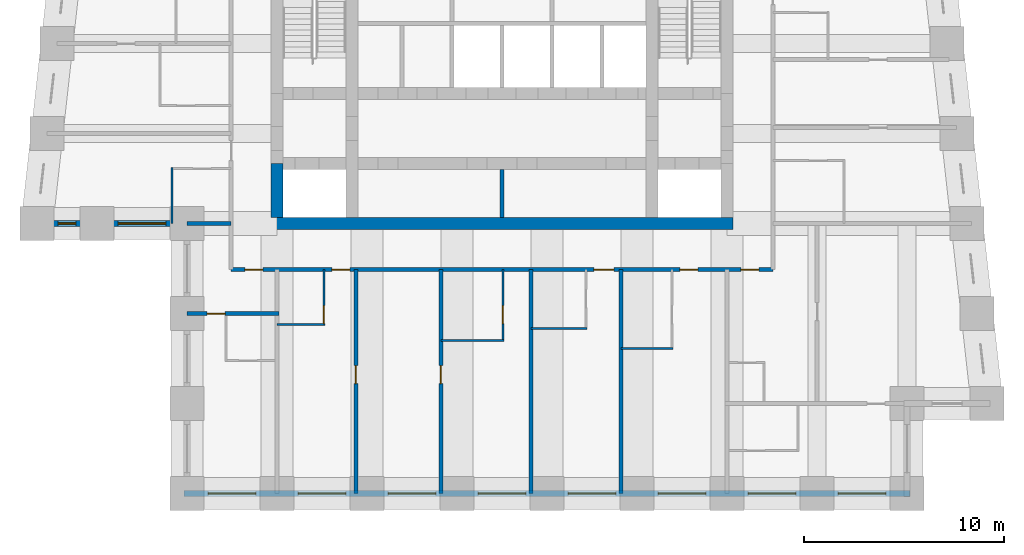
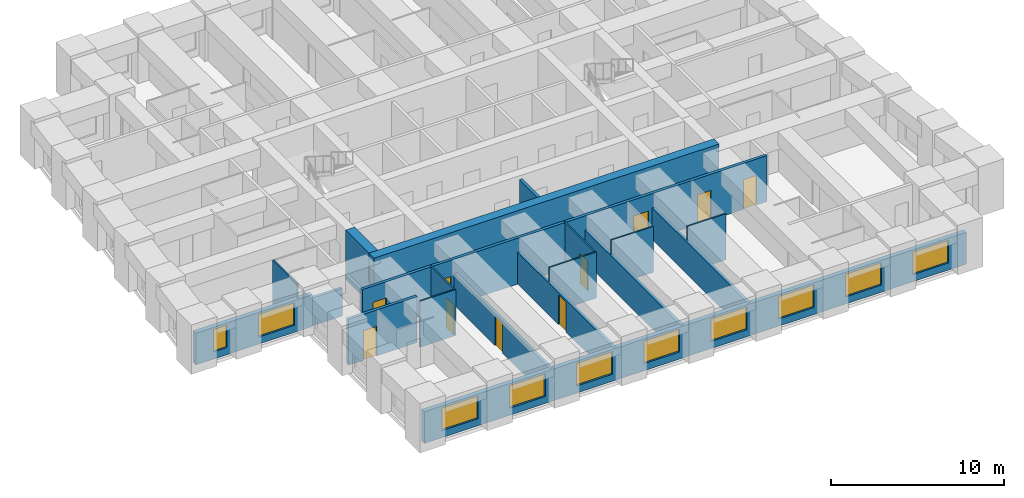
# One storey, part 2 of 8: 19 walls, 10 doors, 10 windows, 20 openings.
"""IFC4 building model written with IfcOpenShell, lengths in metres."""

import ifcopenshell
import ifcopenshell.guid

model = None  # the IFC model being written
_history = None  # IfcOwnerHistory: only IFC2X3 demands one
_inside = {}  # id of a spatial element -> (the spatial element, [elements in it])
_under = {}  # id of a project, library or spatial element -> (it, [spatial elements below it])
_declared = {}  # id of a project -> (the project, [libraries it declares])
_typed = {}  # id of a type object -> (the type object, [elements of that type])
_made_of = {}  # id of a material, layer set ... -> (it, [elements and type objects made of it])


def new_model(schema):
    """Start an empty IFC model of exactly this schema.

    Asked for "IFC4X3", IfcOpenShell would pick the latest addendum, in which some entities
    have other attributes; the version numbers below select the first issue.
    IFC2X3 requires an IfcOwnerHistory on every rooted entity: one is made here for all.
    """
    global model, _history
    if schema == "IFC4X3":
        model = ifcopenshell.file(schema_version=(4, 3, 0, 0))
    else:
        model = ifcopenshell.file(schema=schema)
    _inside.clear()
    _under.clear()
    _declared.clear()
    _typed.clear()
    _made_of.clear()
    _history = None
    if model.schema == "IFC2X3":
        org = make("IfcOrganization", Name="unknown")
        user = make(
            "IfcPersonAndOrganization",
            ThePerson=make("IfcPerson", FamilyName="unknown"),
            TheOrganization=org,
        )
        app = make(
            "IfcApplication",
            ApplicationDeveloper=org,
            Version="unknown",
            ApplicationFullName="unknown",
            ApplicationIdentifier="unknown",
        )
        _history = make(
            "IfcOwnerHistory",
            OwningUser=user,
            OwningApplication=app,
            ChangeAction="ADDED",
            CreationDate=0,
        )
    return model


def make(cls, **values):
    """One entity of the class cls with the attributes given. An attribute that is None is left unset."""
    return model.create_entity(
        cls, **{name: value for name, value in values.items() if value is not None}
    )


def rooted(cls, **values):
    """An entity with a GlobalId (a new one), such as an element, a storey or a relation."""
    return make(cls, GlobalId=ifcopenshell.guid.new(), OwnerHistory=_history, **values)


def si_unit(unit_type, name, prefix=None):
    """IfcSIUnit, for example si_unit("LENGTHUNIT", "METRE", prefix="MILLI")."""
    return make("IfcSIUnit", UnitType=unit_type, Prefix=prefix, Name=name)


def assignment(units):
    """IfcUnitAssignment: the units of a project."""
    return None if units is None else make("IfcUnitAssignment", Units=units)


def point(xyz):
    """IfcCartesianPoint."""
    return None if xyz is None else make("IfcCartesianPoint", Coordinates=xyz)


def direction(xyz):
    """IfcDirection."""
    return None if xyz is None else make("IfcDirection", DirectionRatios=xyz)


def frame(location, z_axis=None, x_axis=None):
    """IfcAxis2Placement3D, a coordinate frame: its origin and axes. An axis left out is left unset."""
    return make(
        "IfcAxis2Placement3D",
        Location=point(location),
        Axis=direction(z_axis),
        RefDirection=direction(x_axis),
    )


def frame_2d(location, x_axis=None):
    """IfcAxis2Placement2D, a coordinate frame in the plane: its origin and x axis."""
    return make(
        "IfcAxis2Placement2D", Location=point(location), RefDirection=direction(x_axis)
    )


def origin():
    """The frame at (0, 0, 0) with its axes left unset."""
    return frame((0.0, 0.0, 0.0))


def place(relative_to, where):
    """IfcLocalPlacement: puts the frame where relative to a parent placement (None: the world)."""
    return make(
        "IfcLocalPlacement", PlacementRelTo=relative_to, RelativePlacement=where
    )


def context(
    kind, dimensions, precision=None, world=None, true_north=None, identifier=None
):
    """IfcGeometricRepresentationContext, for example the 3D "Model" context."""
    return make(
        "IfcGeometricRepresentationContext",
        ContextIdentifier=identifier,
        ContextType=kind,
        CoordinateSpaceDimension=dimensions,
        Precision=precision,
        WorldCoordinateSystem=world,
        TrueNorth=true_north,
    )


def subcontext(parent, identifier, kind, view, scale=None):
    """IfcGeometricRepresentationSubContext, for example "Body" below "Model"."""
    return make(
        "IfcGeometricRepresentationSubContext",
        ContextIdentifier=identifier,
        ContextType=kind,
        ParentContext=parent,
        TargetScale=scale,
        TargetView=view,
    )


def project(units=None, contexts=None):
    """IfcProject with its units and contexts."""
    return rooted(
        "IfcProject",
        Name="project",
        RepresentationContexts=contexts,
        UnitsInContext=assignment(units),
    )


def spatial(cls, under=None, at=None, **own):
    """A site, building, storey or space (cls), placed at a placement, below another one or the project."""
    s = rooted(cls, ObjectPlacement=at, **own)
    if under is not None:
        _under.setdefault(under.id(), (under, []))[1].append(s)
    return s


def profile(cls, at=None, kind="AREA", **sizes):
    """A parametric profile (cls). Its sizes go by their IFC names, for example OverallWidth=200.0."""
    return make(cls, ProfileType=kind, Position=at, **sizes)


def rectangle(**sizes):
    """IfcRectangleProfileDef."""
    return profile("IfcRectangleProfileDef", **sizes)


def extrude(swept, where, along, depth):
    """IfcExtrudedAreaSolid: the profile swept, set in the frame where, extruded along a direction by depth."""
    return make(
        "IfcExtrudedAreaSolid",
        SweptArea=swept,
        Position=where,
        ExtrudedDirection=direction(along),
        Depth=depth,
    )


def shape(context_of_items, identifier, shape_type, items):
    """IfcShapeRepresentation: the items that make up one representation, for example the "Body"."""
    return make(
        "IfcShapeRepresentation",
        ContextOfItems=context_of_items,
        RepresentationIdentifier=identifier,
        RepresentationType=shape_type,
        Items=items,
    )


def material(Name=None, Category=None):
    """IfcMaterial."""
    return make("IfcMaterial", Name=Name, Category=Category)


def layer(
    of_material, thickness, ventilated=None, Name=None, Category=None, Priority=None
):
    """IfcMaterialLayer: one layer of a wall or slab, of a material (None: an air gap)."""
    return make(
        "IfcMaterialLayer",
        Material=of_material,
        LayerThickness=thickness,
        IsVentilated=ventilated,
        Name=Name,
        Category=Category,
        Priority=Priority,
    )


def layer_set(layers, Name=None):
    """IfcMaterialLayerSet."""
    return make("IfcMaterialLayerSet", MaterialLayers=layers, LayerSetName=Name)


def made_of(thing, what):
    """Note that an element or type object is made of a material, layer set ...; save() writes the relation."""
    if what is not None:
        _made_of.setdefault(what.id(), (what, []))[1].append(thing)
    return thing


def type_object(cls, material=None, **own):
    """A type object (cls), such as IfcWallType, which elements share."""
    return made_of(rooted(cls, **own), material)


def element(
    cls,
    number,
    at=None,
    inside=None,
    cuts=None,
    type_object=None,
    material=None,
    context=None,
    identifier="Body",
    shape_type=None,
    held_by="IfcProductDefinitionShape",
    body=None,
    shapes=None,
    **own,
):
    """One element of the class cls, such as IfcWall. Its Tag is "e" and its number.

    at: its placement. inside: the storey or other place that contains it. cuts: it is an
    opening in that element (IfcRelVoidsElement). A single representation is given by context,
    identifier, shape_type and body (its items); several are given by shapes. held_by: the class
    of the entity that holds the representations. save() writes the other relations.
    """
    e = rooted(cls, Tag="e%d" % number, ObjectPlacement=at, **own)
    if body is not None:
        shapes = [shape(context, identifier, shape_type, body)]
    if shapes is not None:
        e.Representation = make(held_by, Representations=shapes)
    if inside is not None:
        _inside.setdefault(inside.id(), (inside, []))[1].append(e)
    if cuts is not None:
        rooted(
            "IfcRelVoidsElement", RelatingBuildingElement=cuts, RelatedOpeningElement=e
        )
    if type_object is not None:
        _typed.setdefault(type_object.id(), (type_object, []))[1].append(e)
    return made_of(e, material)


def fill(opening, filler):
    """IfcRelFillsElement: the door or window that sits in an opening."""
    return rooted(
        "IfcRelFillsElement",
        RelatingOpeningElement=opening,
        RelatedBuildingElement=filler,
    )


def aggregate(whole, parts):
    """IfcRelAggregates: a whole, such as a stair, and the parts it consists of."""
    return rooted("IfcRelAggregates", RelatingObject=whole, RelatedObjects=parts)


def save(model, path):
    """Write the relations noted so far, then the file.

    IfcRelAggregates (storeys below a building ...), IfcRelContainedInSpatialStructure (elements
    in a storey), IfcRelDefinesByType, IfcRelAssociatesMaterial and IfcRelDeclares: one each for
    every whole, place, type object, material and project.
    """
    for whole, parts in _under.values():
        aggregate(whole, parts)
    for where, things in _inside.values():
        rooted(
            "IfcRelContainedInSpatialStructure",
            RelatedElements=things,
            RelatingStructure=where,
        )
    for kind, things in _typed.values():
        rooted("IfcRelDefinesByType", RelatedObjects=things, RelatingType=kind)
    for what, things in _made_of.values():
        rooted("IfcRelAssociatesMaterial", RelatedObjects=things, RelatingMaterial=what)
    for by, libraries in _declared.values():
        rooted("IfcRelDeclares", RelatingContext=by, RelatedDefinitions=libraries)
    model.write(path)


model = new_model("IFC4")

# Units and contexts
model_context = context("Model", 3, precision=1e-05, world=origin(), true_north=direction((0.0, 1.0)))
body_context = subcontext(model_context, "Body", "Model", "MODEL_VIEW")
ifc_project = project(units=[si_unit("LENGTHUNIT", "METRE"), si_unit("AREAUNIT", "SQUARE_METRE"), si_unit("VOLUMEUNIT", "CUBIC_METRE"), si_unit("PLANEANGLEUNIT", "RADIAN"), si_unit("MASSUNIT", "GRAM", prefix="KILO")], contexts=[model_context])

# Site, building, storey
site_placement = place(None, origin())
site = spatial("IfcSite", under=ifc_project, at=site_placement, CompositionType="ELEMENT")
building_placement = place(site_placement, origin())
building = spatial("IfcBuilding", under=site, at=building_placement, Name="Kilele Tower Hotel", CompositionType="ELEMENT")
storey_placement = place(building_placement, frame((0.0, 0.0, 179.89990234375)))
storey = spatial("IfcBuildingStorey", under=building, at=storey_placement, Name="L46", CompositionType="ELEMENT", Elevation=179.89990234375)

# Wall
ifc_material_1 = material(Name="Moisture-resistant board")
ifc_layer_1 = layer(ifc_material_1, 0.10009765625)
ifc_layer_set_1 = layer_set([ifc_layer_1], Name="Moisture-resistant board")
wall_type_1 = type_object("IfcWallType", Name="Bathroom partition 100", PredefinedType="PLUMBINGWALL", material=ifc_layer_set_1)
wall_1_placement = place(storey_placement, frame((13.5, 8.449951171875, 0.0), z_axis=(0.0, 0.0, 1.0), x_axis=(1.0, 0.0, 0.0)))
element("IfcWall", 1, at=wall_1_placement, inside=storey, type_object=wall_type_1, Name="Bathroom partition 100 L46", PredefinedType="PLUMBINGWALL", context=body_context, shape_type="SweptSolid", body=[
    extrude(rectangle(XDim=2.39990234375, YDim=0.10009765625, at=frame_2d((1.199951171875, 0.0))), origin(), (0.0, 0.0, 1.0), 3.25),
])

# Wall, opening, door
wall_2_placement = place(storey_placement, frame((15.85009765625, 11.199951171875, 0.0), z_axis=(0.0, 0.0, 1.0), x_axis=(0.0, -1.0, 0.0)))
wall_2 = element("IfcWall", 2, at=wall_2_placement, inside=storey, type_object=wall_type_1, Name="Bathroom partition 100 L46", PredefinedType="PLUMBINGWALL", context=body_context, shape_type="SweptSolid", body=[
    extrude(rectangle(XDim=2.800048828125, YDim=0.10009765625, at=frame_2d((1.39990234375, 0.0))), origin(), (0.0, 0.0, 1.0), 3.25),
])
opening_1_placement = place(wall_2_placement, frame((1.800048828125, 0.0, 0.0)))
opening_1 = element("IfcOpeningElement", 3, at=opening_1_placement, cuts=wall_2, Name="Opening D2A", PredefinedType="OPENING", context=body_context, shape_type="SweptSolid", body=[
    extrude(rectangle(XDim=0.89990234375, YDim=2.10009765625, at=frame_2d((0.449951171875, 1.050048828125))), frame((0.0, 0.06005859375, 0.0), z_axis=(0.0, -1.0, 0.0), x_axis=(1.0, 0.0, 0.0)), (0.0, 0.0, 1.0), 0.1201171875),
])
ifc_material_2 = material(Name="Timber door leaf in hardwood frame", Category="wood")
door_type_1 = type_object("IfcDoorType", Name="Bathroom door 900", OperationType="SINGLE_SWING_LEFT", PredefinedType="DOOR", material=ifc_material_2)
door_1_placement = place(opening_1_placement, origin())
door_1 = element("IfcDoor", 4, at=door_1_placement, inside=storey, type_object=door_type_1, Name="Bathroom door 4601B", OperationType="SINGLE_SWING_RIGHT", OverallHeight=2.10009765625, OverallWidth=0.89990234375, PredefinedType="DOOR", context=body_context, shape_type="SweptSolid", body=[
    extrude(rectangle(XDim=0.89990234375, YDim=2.10009765625, at=frame_2d((0.449951171875, 1.050048828125))), frame((0.0, 0.02490234375, 0.0), z_axis=(0.0, -1.0, 0.0), x_axis=(1.0, 0.0, 0.0)), (0.0, 0.0, 1.0), 0.050048828125),
])
fill(opening_1, door_1)

# Wall
wall_3_placement = place(storey_placement, frame((21.699951171875, 7.64990234375, 0.0), z_axis=(0.0, 0.0, 1.0), x_axis=(1.0, 0.0, 0.0)))
element("IfcWall", 5, at=wall_3_placement, inside=storey, type_object=wall_type_1, Name="Bathroom partition 100 L46", PredefinedType="PLUMBINGWALL", context=body_context, shape_type="SweptSolid", body=[
    extrude(rectangle(XDim=3.150146484375, YDim=0.10009765625, at=frame_2d((1.5751953125, 0.0))), origin(), (0.0, 0.0, 1.0), 3.25),
])

# Wall, opening, door
wall_4_placement = place(storey_placement, frame((24.800048828125, 11.199951171875, 0.0), z_axis=(0.0, 0.0, 1.0), x_axis=(0.0, -1.0, 0.0)))
wall_4 = element("IfcWall", 6, at=wall_4_placement, inside=storey, type_object=wall_type_1, Name="Bathroom partition 100 L46", PredefinedType="PLUMBINGWALL", context=body_context, shape_type="SweptSolid", body=[
    extrude(rectangle(XDim=3.599853515625, YDim=0.10009765625, at=frame_2d((1.7998046875, 0.0))), origin(), (0.0, 0.0, 1.0), 3.25),
])
opening_2_placement = place(wall_4_placement, frame((1.800048828125, 0.0, 0.0)))
opening_2 = element("IfcOpeningElement", 7, at=opening_2_placement, cuts=wall_4, Name="Opening D2A", PredefinedType="OPENING", context=body_context, shape_type="SweptSolid", body=[
    extrude(rectangle(XDim=0.89990234375, YDim=2.10009765625, at=frame_2d((0.449951171875, 1.050048828125))), frame((0.0, 0.06005859375, 0.0), z_axis=(0.0, -1.0, 0.0), x_axis=(1.0, 0.0, 0.0)), (0.0, 0.0, 1.0), 0.1201171875),
])
door_2_placement = place(opening_2_placement, origin())
door_2 = element("IfcDoor", 8, at=door_2_placement, inside=storey, type_object=door_type_1, Name="Bathroom door 4603B", OperationType="SINGLE_SWING_RIGHT", OverallHeight=2.10009765625, OverallWidth=0.89990234375, PredefinedType="DOOR", context=body_context, shape_type="SweptSolid", body=[
    extrude(rectangle(XDim=0.89990234375, YDim=2.10009765625, at=frame_2d((0.449951171875, 1.050048828125))), frame((0.0, 0.02490234375, 0.0), z_axis=(0.0, -1.0, 0.0), x_axis=(1.0, 0.0, 0.0)), (0.0, 0.0, 1.0), 0.050048828125),
])
fill(opening_2, door_2)

# Walls
wall_5_placement = place(storey_placement, frame((26.199951171875, 8.25, 0.0), z_axis=(0.0, 0.0, 1.0), x_axis=(1.0, 0.0, 0.0)))
element("IfcWall", 9, at=wall_5_placement, inside=storey, type_object=wall_type_1, Name="Bathroom partition 100 L46", PredefinedType="PLUMBINGWALL", context=body_context, shape_type="SweptSolid", body=[
    extrude(rectangle(XDim=2.800048828125, YDim=0.10009765625, at=frame_2d((1.39990234375, 0.0))), origin(), (0.0, 0.0, 1.0), 3.25),
])
wall_6_placement = place(storey_placement, frame((30.699951171875, 7.25, 0.0), z_axis=(0.0, 0.0, 1.0), x_axis=(1.0, 0.0, 0.0)))
element("IfcWall", 10, at=wall_6_placement, inside=storey, type_object=wall_type_1, Name="Bathroom partition 100 L46", PredefinedType="PLUMBINGWALL", context=body_context, shape_type="SweptSolid", body=[
    extrude(rectangle(XDim=2.60009765625, YDim=0.10009765625, at=frame_2d((1.300048828125, 0.0))), origin(), (0.0, 0.0, 1.0), 3.25),
])
wall_7_placement = place(storey_placement, frame((8.25, 13.5, 0.0), z_axis=(0.0, 0.0, 1.0), x_axis=(0.0, 1.0, 0.0)))
element("IfcWall", 11, at=wall_7_placement, inside=storey, type_object=wall_type_1, Name="Bathroom partition 100 L46", PredefinedType="PLUMBINGWALL", context=body_context, shape_type="SweptSolid", body=[
    extrude(rectangle(XDim=2.800048828125, YDim=0.10009765625, at=frame_2d((1.39990234375, 0.0))), origin(), (0.0, 0.0, 1.0), 3.25),
])
ifc_material_3 = material(Name="Concrete C70/85", Category="concrete")
ifc_layer_2 = layer(ifc_material_3, 0.60009765625)
ifc_layer_set_2 = layer_set([ifc_layer_2], Name="Concrete C70/85")
wall_type_2 = type_object("IfcWallType", Name="Core wall 600 C70/85", PredefinedType="SHEAR", material=ifc_layer_set_2)
wall_8_placement = place(storey_placement, frame((13.199951171875, 13.5, 0.0), z_axis=(0.0, 0.0, 1.0), x_axis=(1.0, 0.0, 0.0)))
element("IfcWall", 12, at=wall_8_placement, inside=storey, type_object=wall_type_2, Name="Core wall S L46", PredefinedType="SHEAR", context=body_context, shape_type="SweptSolid", body=[
    extrude(rectangle(XDim=23.10009765625, YDim=0.60009765625, at=frame_2d((11.550048828125, 0.0))), origin(), (0.0, 0.0, 1.0), 3.5),
])
wall_9_placement = place(storey_placement, frame((13.5, 16.5, 0.0), z_axis=(0.0, 0.0, 1.0), x_axis=(0.0, -1.0, 0.0)))
element("IfcWall", 13, at=wall_9_placement, inside=storey, type_object=wall_type_2, Name="Core wall W3 L46", PredefinedType="SHEAR", context=body_context, shape_type="SweptSolid", body=[
    extrude(rectangle(XDim=2.699951171875, YDim=0.60009765625, at=frame_2d((1.35009765625, 0.0))), origin(), (0.0, 0.0, 1.0), 3.5),
])

# Wall, openings, doors
ifc_material_4 = material(Name="Blockwork, plastered both sides", Category="masonry")
ifc_layer_3 = layer(ifc_material_4, 0.199951171875)
ifc_layer_set_3 = layer_set([ifc_layer_3], Name="Blockwork, plastered both sides")
wall_type_3 = type_object("IfcWallType", Name="Corridor wall 200", PredefinedType="PARTITIONING", material=ifc_layer_set_3)
wall_10_placement = place(storey_placement, frame((11.199951171875, 11.199951171875, 0.0), z_axis=(0.0, 0.0, 1.0), x_axis=(1.0, 0.0, 0.0)))
wall_10 = element("IfcWall", 14, at=wall_10_placement, inside=storey, type_object=wall_type_3, Name="Corridor wall 200 L46", PredefinedType="PARTITIONING", context=body_context, shape_type="SweptSolid", body=[
    extrude(rectangle(XDim=27.10009765625, YDim=0.199951171875, at=frame_2d((13.550048828125, 0.0))), origin(), (0.0, 0.0, 1.0), 3.25),
])
opening_3_placement = place(wall_10_placement, frame((5.949951171875, 0.0, 0.0), z_axis=(0.0, 0.0, 1.0), x_axis=(-1.0, 0.0, 0.0)))
opening_3 = element("IfcOpeningElement", 15, at=opening_3_placement, cuts=wall_10, Name="Opening D1", PredefinedType="OPENING", context=body_context, shape_type="SweptSolid", body=[
    extrude(rectangle(XDim=0.89990234375, YDim=2.10009765625, at=frame_2d((0.449951171875, 1.050048828125))), frame((0.0, 0.10986328125, 0.0), z_axis=(0.0, -1.0, 0.0), x_axis=(1.0, 0.0, 0.0)), (0.0, 0.0, 1.0), 0.219970703125),
])
opening_4_placement = place(wall_10_placement, frame((19.14990234375, 0.0, 0.0), z_axis=(0.0, 0.0, 1.0), x_axis=(-1.0, 0.0, 0.0)))
opening_4 = element("IfcOpeningElement", 16, at=opening_4_placement, cuts=wall_10, Name="Opening D1A", PredefinedType="OPENING", context=body_context, shape_type="SweptSolid", body=[
    extrude(rectangle(XDim=1.0, YDim=2.10009765625, at=frame_2d((0.5, 1.050048828125))), frame((0.0, 0.10986328125, 0.0), z_axis=(0.0, -1.0, 0.0), x_axis=(1.0, 0.0, 0.0)), (0.0, 0.0, 1.0), 0.219970703125),
])
opening_5_placement = place(wall_10_placement, frame((23.349853515625, 0.0, 0.0), z_axis=(0.0, 0.0, 1.0), x_axis=(-1.0, 0.0, 0.0)))
opening_5 = element("IfcOpeningElement", 17, at=opening_5_placement, cuts=wall_10, Name="Opening D1", PredefinedType="OPENING", context=body_context, shape_type="SweptSolid", body=[
    extrude(rectangle(XDim=0.89990234375, YDim=2.10009765625, at=frame_2d((0.449951171875, 1.050048828125))), frame((0.0, 0.10986328125, 0.0), z_axis=(0.0, -1.0, 0.0), x_axis=(1.0, 0.0, 0.0)), (0.0, 0.0, 1.0), 0.219970703125),
])
opening_6_placement = place(wall_10_placement, frame((1.599853515625, 0.0, 0.0), z_axis=(0.0, 0.0, 1.0), x_axis=(-1.0, 0.0, 0.0)))
opening_6 = element("IfcOpeningElement", 18, at=opening_6_placement, cuts=wall_10, Name="Opening D1", PredefinedType="OPENING", context=body_context, shape_type="SweptSolid", body=[
    extrude(rectangle(XDim=0.89990234375, YDim=2.10009765625, at=frame_2d((0.449951171875, 1.050048828125))), frame((0.0, 0.10986328125, 0.0), z_axis=(0.0, -1.0, 0.0), x_axis=(1.0, 0.0, 0.0)), (0.0, 0.0, 1.0), 0.219970703125),
])
opening_7_placement = place(wall_10_placement, frame((26.39990234375, 0.0, 0.0), z_axis=(0.0, 0.0, 1.0), x_axis=(-1.0, 0.0, 0.0)))
opening_7 = element("IfcOpeningElement", 19, at=opening_7_placement, cuts=wall_10, Name="Opening D1", PredefinedType="OPENING", context=body_context, shape_type="SweptSolid", body=[
    extrude(rectangle(XDim=0.89990234375, YDim=2.10009765625, at=frame_2d((0.449951171875, 1.050048828125))), frame((0.0, 0.10986328125, 0.0), z_axis=(0.0, -1.0, 0.0), x_axis=(1.0, 0.0, 0.0)), (0.0, 0.0, 1.0), 0.219970703125),
])
ifc_material_5 = material(Name="Timber door leaf in hardwood frame", Category="wood")
door_type_2 = type_object("IfcDoorType", Name="Guest room entrance door 1000", OperationType="SINGLE_SWING_LEFT", PredefinedType="DOOR", material=ifc_material_5)
door_3_placement = place(opening_4_placement, origin())
door_3 = element("IfcDoor", 20, at=door_3_placement, inside=storey, type_object=door_type_2, Name="Room entrance 4604", OperationType="SINGLE_SWING_LEFT", OverallHeight=2.10009765625, OverallWidth=1.0, PredefinedType="DOOR", context=body_context, shape_type="SweptSolid", body=[
    extrude(rectangle(XDim=1.0, YDim=2.10009765625, at=frame_2d((0.5, 1.050048828125))), frame((0.0, 0.02490234375, 0.0), z_axis=(0.0, -1.0, 0.0), x_axis=(1.0, 0.0, 0.0)), (0.0, 0.0, 1.0), 0.050048828125),
])
fill(opening_4, door_3)
ifc_material_6 = material(Name="Timber door leaf in hardwood frame", Category="wood")
door_type_3 = type_object("IfcDoorType", Name="Guest room entrance door 900", OperationType="SINGLE_SWING_LEFT", PredefinedType="DOOR", material=ifc_material_6)
door_4_placement = place(opening_3_placement, origin())
door_4 = element("IfcDoor", 21, at=door_4_placement, inside=storey, type_object=door_type_3, Name="Room entrance 4601", OperationType="SINGLE_SWING_LEFT", OverallHeight=2.10009765625, OverallWidth=0.89990234375, PredefinedType="DOOR", context=body_context, shape_type="SweptSolid", body=[
    extrude(rectangle(XDim=0.89990234375, YDim=2.10009765625, at=frame_2d((0.449951171875, 1.050048828125))), frame((0.0, 0.02490234375, 0.0), z_axis=(0.0, -1.0, 0.0), x_axis=(1.0, 0.0, 0.0)), (0.0, 0.0, 1.0), 0.050048828125),
])
fill(opening_3, door_4)
door_5_placement = place(opening_5_placement, origin())
door_5 = element("IfcDoor", 22, at=door_5_placement, inside=storey, type_object=door_type_3, Name="Room entrance 4605", OperationType="SINGLE_SWING_RIGHT", OverallHeight=2.10009765625, OverallWidth=0.89990234375, PredefinedType="DOOR", context=body_context, shape_type="SweptSolid", body=[
    extrude(rectangle(XDim=0.89990234375, YDim=2.10009765625, at=frame_2d((0.449951171875, 1.050048828125))), frame((0.0, 0.02490234375, 0.0), z_axis=(0.0, -1.0, 0.0), x_axis=(1.0, 0.0, 0.0)), (0.0, 0.0, 1.0), 0.050048828125),
])
fill(opening_5, door_5)
door_6_placement = place(opening_6_placement, origin())
door_6 = element("IfcDoor", 23, at=door_6_placement, inside=storey, type_object=door_type_3, Name="Room entrance 4617", OperationType="SINGLE_SWING_LEFT", OverallHeight=2.10009765625, OverallWidth=0.89990234375, PredefinedType="DOOR", context=body_context, shape_type="SweptSolid", body=[
    extrude(rectangle(XDim=0.89990234375, YDim=2.10009765625, at=frame_2d((0.449951171875, 1.050048828125))), frame((0.0, 0.02490234375, 0.0), z_axis=(0.0, -1.0, 0.0), x_axis=(1.0, 0.0, 0.0)), (0.0, 0.0, 1.0), 0.050048828125),
])
fill(opening_6, door_6)
door_7_placement = place(opening_7_placement, origin())
door_7 = element("IfcDoor", 24, at=door_7_placement, inside=storey, type_object=door_type_3, Name="Room entrance 4619", OperationType="SINGLE_SWING_RIGHT", OverallHeight=2.10009765625, OverallWidth=0.89990234375, PredefinedType="DOOR", context=body_context, shape_type="SweptSolid", body=[
    extrude(rectangle(XDim=0.89990234375, YDim=2.10009765625, at=frame_2d((0.449951171875, 1.050048828125))), frame((0.0, 0.02490234375, 0.0), z_axis=(0.0, -1.0, 0.0), x_axis=(1.0, 0.0, 0.0)), (0.0, 0.0, 1.0), 0.050048828125),
])
fill(opening_7, door_7)

# Wall, opening, door
ifc_material_7 = material(Name="Blockwork, plastered both sides", Category="masonry")
ifc_layer_4 = layer(ifc_material_7, 0.199951171875)
ifc_layer_set_4 = layer_set([ifc_layer_4], Name="Blockwork, plastered both sides")
wall_type_4 = type_object("IfcWallType", Name="Party wall 200", PredefinedType="PARTITIONING", material=ifc_layer_set_4)
wall_11_placement = place(storey_placement, frame((17.449951171875, 11.199951171875, 0.0), z_axis=(0.0, 0.0, 1.0), x_axis=(0.0, -1.0, 0.0)))
wall_11 = element("IfcWall", 25, at=wall_11_placement, inside=storey, type_object=wall_type_4, Name="Party wall 200 L46", PredefinedType="PARTITIONING", context=body_context, shape_type="SweptSolid", body=[
    extrude(rectangle(XDim=11.199951171875, YDim=0.199951171875, at=frame_2d((5.60009765625, 0.0))), origin(), (0.0, 0.0, 1.0), 2.25),
])
opening_8_placement = place(wall_11_placement, frame((4.800048828125, 0.0, 0.0)))
opening_8 = element("IfcOpeningElement", 26, at=opening_8_placement, cuts=wall_11, Name="Opening D3", PredefinedType="OPENING", context=body_context, shape_type="SweptSolid", body=[
    extrude(rectangle(XDim=0.89990234375, YDim=2.10009765625, at=frame_2d((0.449951171875, 1.050048828125))), frame((0.0, 0.10986328125, 0.0), z_axis=(0.0, -1.0, 0.0), x_axis=(1.0, 0.0, 0.0)), (0.0, 0.0, 1.0), 0.219970703125),
])
ifc_material_8 = material(Name="Timber door leaf in hardwood frame", Category="wood")
door_type_4 = type_object("IfcDoorType", Name="Suite internal door 900", OperationType="SINGLE_SWING_LEFT", PredefinedType="DOOR", material=ifc_material_8)
door_8_placement = place(opening_8_placement, origin())
door_8 = element("IfcDoor", 27, at=door_8_placement, inside=storey, type_object=door_type_4, Name="Suite door 4602", OperationType="SINGLE_SWING_LEFT", OverallHeight=2.10009765625, OverallWidth=0.89990234375, PredefinedType="DOOR", context=body_context, shape_type="SweptSolid", body=[
    extrude(rectangle(XDim=0.89990234375, YDim=2.10009765625, at=frame_2d((0.449951171875, 1.050048828125))), frame((0.0, 0.02490234375, 0.0), z_axis=(0.0, -1.0, 0.0), x_axis=(1.0, 0.0, 0.0)), (0.0, 0.0, 1.0), 0.050048828125),
])
fill(opening_8, door_8)

wall_12_placement = place(storey_placement, frame((21.699951171875, 11.199951171875, 0.0), z_axis=(0.0, 0.0, 1.0), x_axis=(0.0, -1.0, 0.0)))
wall_12 = element("IfcWall", 28, at=wall_12_placement, inside=storey, type_object=wall_type_4, Name="Party wall 200 L46", PredefinedType="PARTITIONING", context=body_context, shape_type="SweptSolid", body=[
    extrude(rectangle(XDim=11.199951171875, YDim=0.199951171875, at=frame_2d((5.60009765625, 0.0))), origin(), (0.0, 0.0, 1.0), 2.25),
])
opening_9_placement = place(wall_12_placement, frame((4.800048828125, 0.0, 0.0)))
opening_9 = element("IfcOpeningElement", 29, at=opening_9_placement, cuts=wall_12, Name="Opening D3", PredefinedType="OPENING", context=body_context, shape_type="SweptSolid", body=[
    extrude(rectangle(XDim=0.89990234375, YDim=2.10009765625, at=frame_2d((0.449951171875, 1.050048828125))), frame((0.0, 0.10986328125, 0.0), z_axis=(0.0, -1.0, 0.0), x_axis=(1.0, 0.0, 0.0)), (0.0, 0.0, 1.0), 0.219970703125),
])
door_9_placement = place(opening_9_placement, origin())
door_9 = element("IfcDoor", 30, at=door_9_placement, inside=storey, type_object=door_type_4, Name="Suite door 4603", OperationType="SINGLE_SWING_LEFT", OverallHeight=2.10009765625, OverallWidth=0.89990234375, PredefinedType="DOOR", context=body_context, shape_type="SweptSolid", body=[
    extrude(rectangle(XDim=0.89990234375, YDim=2.10009765625, at=frame_2d((0.449951171875, 1.050048828125))), frame((0.0, 0.02490234375, 0.0), z_axis=(0.0, -1.0, 0.0), x_axis=(1.0, 0.0, 0.0)), (0.0, 0.0, 1.0), 0.050048828125),
])
fill(opening_9, door_9)

# Walls
for number, where, z_axis, x_axis, name in (
    (31, (26.199951171875, 11.199951171875, 0.0), (0.0, 0.0, 1.0), (0.0, -1.0, 0.0), "Party wall 200 L46"),
    (32, (30.699951171875, 11.199951171875, 0.0), (0.0, 0.0, 1.0), (0.0, -1.0, 0.0), "Party wall 200 L46"),
):
    element("IfcWall", number, at=place(storey_placement, frame(where, z_axis=z_axis, x_axis=x_axis)), inside=storey, type_object=wall_type_4, Name=name, PredefinedType="PARTITIONING", context=body_context, shape_type="SweptSolid", body=[
        extrude(rectangle(XDim=11.199951171875, YDim=0.199951171875, at=frame_2d((5.60009765625, 0.0))), origin(), (0.0, 0.0, 1.0), 2.25),
    ])
wall_13_placement = place(storey_placement, frame((11.199951171875, 13.5, 0.0), z_axis=(0.0, 0.0, 1.0), x_axis=(-1.0, 0.0, 0.0)))
element("IfcWall", 33, at=wall_13_placement, inside=storey, type_object=wall_type_4, Name="Party wall 200 L46", PredefinedType="PARTITIONING", context=body_context, shape_type="SweptSolid", body=[
    extrude(rectangle(XDim=2.199951171875, YDim=0.199951171875, at=frame_2d((1.10009765625, 0.0))), origin(), (0.0, 0.0, 1.0), 1.9501953125),
])

# Wall, opening, door
wall_14_placement = place(storey_placement, frame((13.60009765625, 9.0, 0.0), z_axis=(0.0, 0.0, 1.0), x_axis=(-1.0, 0.0, 0.0)))
wall_14 = element("IfcWall", 34, at=wall_14_placement, inside=storey, type_object=wall_type_4, Name="Party wall 200 L46", PredefinedType="PARTITIONING", context=body_context, shape_type="SweptSolid", body=[
    extrude(rectangle(XDim=4.60009765625, YDim=0.199951171875, at=frame_2d((2.300048828125, 0.0))), origin(), (0.0, 0.0, 1.0), 3.25),
])
opening_10_placement = place(wall_14_placement, frame((2.699951171875, 0.0, 0.0)))
opening_10 = element("IfcOpeningElement", 35, at=opening_10_placement, cuts=wall_14, Name="Opening D3", PredefinedType="OPENING", context=body_context, shape_type="SweptSolid", body=[
    extrude(rectangle(XDim=0.89990234375, YDim=2.10009765625, at=frame_2d((0.449951171875, 1.050048828125))), frame((0.0, 0.10986328125, 0.0), z_axis=(0.0, -1.0, 0.0), x_axis=(1.0, 0.0, 0.0)), (0.0, 0.0, 1.0), 0.219970703125),
])
door_10_placement = place(opening_10_placement, origin())
door_10 = element("IfcDoor", 36, at=door_10_placement, inside=storey, type_object=door_type_4, Name="Suite door 4618", OperationType="SINGLE_SWING_LEFT", OverallHeight=2.10009765625, OverallWidth=0.89990234375, PredefinedType="DOOR", context=body_context, shape_type="SweptSolid", body=[
    extrude(rectangle(XDim=0.89990234375, YDim=2.10009765625, at=frame_2d((0.449951171875, 1.050048828125))), frame((0.0, 0.02490234375, 0.0), z_axis=(0.0, -1.0, 0.0), x_axis=(1.0, 0.0, 0.0)), (0.0, 0.0, 1.0), 0.050048828125),
])
fill(opening_10, door_10)

# Wall, openings, windows
ifc_material_9 = material(Name="Concrete C40/50 precast", Category="concrete")
ifc_layer_5 = layer(ifc_material_9, 0.260009765625, Name="Precast backing", Category="LoadBearing")
ifc_material_10 = material(Name="Reconstituted stone finish", Category="masonry")
ifc_layer_6 = layer(ifc_material_10, 0.0400390625, Name="Face mix", Category="Finish")
ifc_layer_set_5 = layer_set([ifc_layer_5, ifc_layer_6], Name="Precast concrete C40/50, reconstituted stone finish")
wall_type_5 = type_object("IfcWallType", Name="Precast stone facade wall 300", PredefinedType="STANDARD", material=ifc_layer_set_5)
wall_15_placement = place(storey_placement, frame((1.35009765625, 13.5, 0.0), z_axis=(0.0, 0.0, 1.0), x_axis=(1.0, 0.0, 0.0)))
wall_15 = element("IfcWall", 37, at=wall_15_placement, inside=storey, type_object=wall_type_5, Name="Facade wall L46 edge 1", PredefinedType="STANDARD", context=body_context, shape_type="SweptSolid", body=[
    extrude(rectangle(XDim=7.7998046875, YDim=0.300048828125, at=frame_2d((3.89990234375, 0.0))), origin(), (0.0, 0.0, 1.0), 2.25),
])
opening_11_placement = place(wall_15_placement, frame((1.199951171875, 0.0, 0.5)))
opening_11 = element("IfcOpeningElement", 38, at=opening_11_placement, cuts=wall_15, Name="Opening W3", PredefinedType="OPENING", context=body_context, shape_type="SweptSolid", body=[
    extrude(rectangle(XDim=0.89990234375, YDim=1.60009765625, at=frame_2d((0.449951171875, 0.800048828125))), frame((0.0, 0.159912109375, 0.0), z_axis=(0.0, -1.0, 0.0), x_axis=(1.0, 0.0, 0.0)), (0.0, 0.0, 1.0), 0.320068359375),
])
opening_12_placement = place(wall_15_placement, frame((4.199951171875, 0.0, 0.5)))
opening_12 = element("IfcOpeningElement", 39, at=opening_12_placement, cuts=wall_15, Name="Opening W3", PredefinedType="OPENING", context=body_context, shape_type="SweptSolid", body=[
    extrude(rectangle(XDim=2.39990234375, YDim=1.60009765625, at=frame_2d((1.199951171875, 0.800048828125))), frame((0.0, 0.159912109375, 0.0), z_axis=(0.0, -1.0, 0.0), x_axis=(1.0, 0.0, 0.0)), (0.0, 0.0, 1.0), 0.320068359375),
])
ifc_material_11 = material(Name="Aluminium frame, clear double glazing", Category="aluminium")
window_type_1 = type_object("IfcWindowType", Name="Window W3 2400 x 1600", PartitioningType="SINGLE_PANEL", PredefinedType="WINDOW", material=ifc_material_11)
window_1_placement = place(opening_12_placement, origin())
window_1 = element("IfcWindow", 40, at=window_1_placement, inside=storey, type_object=window_type_1, Name="Window L46", OverallHeight=1.60009765625, OverallWidth=2.39990234375, PartitioningType="SINGLE_PANEL", PredefinedType="WINDOW", context=body_context, shape_type="SweptSolid", body=[
    extrude(rectangle(XDim=2.39990234375, YDim=1.60009765625, at=frame_2d((1.199951171875, 0.800048828125))), frame((0.0, 0.030029296875, 0.0), z_axis=(0.0, -1.0, 0.0), x_axis=(1.0, 0.0, 0.0)), (0.0, 0.0, 1.0), 0.06005859375),
])
fill(opening_12, window_1)
ifc_material_12 = material(Name="Aluminium frame, clear double glazing", Category="aluminium")
window_type_2 = type_object("IfcWindowType", Name="Window W3 900 x 1600", PartitioningType="SINGLE_PANEL", PredefinedType="WINDOW", material=ifc_material_12)
window_2_placement = place(opening_11_placement, origin())
window_2 = element("IfcWindow", 41, at=window_2_placement, inside=storey, type_object=window_type_2, Name="Window L46", OverallHeight=1.60009765625, OverallWidth=0.89990234375, PartitioningType="SINGLE_PANEL", PredefinedType="WINDOW", context=body_context, shape_type="SweptSolid", body=[
    extrude(rectangle(XDim=0.89990234375, YDim=1.60009765625, at=frame_2d((0.449951171875, 0.800048828125))), frame((0.0, 0.030029296875, 0.0), z_axis=(0.0, -1.0, 0.0), x_axis=(1.0, 0.0, 0.0)), (0.0, 0.0, 1.0), 0.06005859375),
])
fill(opening_11, window_2)

wall_16_placement = place(storey_placement, frame((8.85009765625, 0.0, 0.0), z_axis=(0.0, 0.0, 1.0), x_axis=(1.0, 0.0, 0.0)))
wall_16 = element("IfcWall", 42, at=wall_16_placement, inside=storey, type_object=wall_type_5, Name="Facade wall L46 edge 3", PredefinedType="STANDARD", context=body_context, shape_type="SweptSolid", body=[
    extrude(rectangle(XDim=36.2998046875, YDim=0.300048828125, at=frame_2d((18.14990234375, 0.0))), origin(), (0.0, 0.0, 1.0), 2.25),
])
opening_13_placement = place(wall_16_placement, frame((1.199951171875, 0.0, 0.5)))
opening_13 = element("IfcOpeningElement", 43, at=opening_13_placement, cuts=wall_16, Name="Opening W3", PredefinedType="OPENING", context=body_context, shape_type="SweptSolid", body=[
    extrude(rectangle(XDim=2.39990234375, YDim=1.60009765625, at=frame_2d((1.199951171875, 0.800048828125))), frame((0.0, 0.159912109375, 0.0), z_axis=(0.0, -1.0, 0.0), x_axis=(1.0, 0.0, 0.0)), (0.0, 0.0, 1.0), 0.320068359375),
])
opening_14_placement = place(wall_16_placement, frame((5.699951171875, 0.0, 0.5)))
opening_14 = element("IfcOpeningElement", 44, at=opening_14_placement, cuts=wall_16, Name="Opening W3", PredefinedType="OPENING", context=body_context, shape_type="SweptSolid", body=[
    extrude(rectangle(XDim=2.39990234375, YDim=1.60009765625, at=frame_2d((1.199951171875, 0.800048828125))), frame((0.0, 0.159912109375, 0.0), z_axis=(0.0, -1.0, 0.0), x_axis=(1.0, 0.0, 0.0)), (0.0, 0.0, 1.0), 0.320068359375),
])
opening_15_placement = place(wall_16_placement, frame((10.199951171875, 0.0, 0.5)))
opening_15 = element("IfcOpeningElement", 45, at=opening_15_placement, cuts=wall_16, Name="Opening W3", PredefinedType="OPENING", context=body_context, shape_type="SweptSolid", body=[
    extrude(rectangle(XDim=2.39990234375, YDim=1.60009765625, at=frame_2d((1.199951171875, 0.800048828125))), frame((0.0, 0.159912109375, 0.0), z_axis=(0.0, -1.0, 0.0), x_axis=(1.0, 0.0, 0.0)), (0.0, 0.0, 1.0), 0.320068359375),
])
opening_16_placement = place(wall_16_placement, frame((14.699951171875, 0.0, 0.5)))
opening_16 = element("IfcOpeningElement", 46, at=opening_16_placement, cuts=wall_16, Name="Opening W3", PredefinedType="OPENING", context=body_context, shape_type="SweptSolid", body=[
    extrude(rectangle(XDim=2.39990234375, YDim=1.60009765625, at=frame_2d((1.199951171875, 0.800048828125))), frame((0.0, 0.159912109375, 0.0), z_axis=(0.0, -1.0, 0.0), x_axis=(1.0, 0.0, 0.0)), (0.0, 0.0, 1.0), 0.320068359375),
])
opening_17_placement = place(wall_16_placement, frame((19.199951171875, 0.0, 0.5)))
opening_17 = element("IfcOpeningElement", 47, at=opening_17_placement, cuts=wall_16, Name="Opening W3", PredefinedType="OPENING", context=body_context, shape_type="SweptSolid", body=[
    extrude(rectangle(XDim=2.39990234375, YDim=1.60009765625, at=frame_2d((1.199951171875, 0.800048828125))), frame((0.0, 0.159912109375, 0.0), z_axis=(0.0, -1.0, 0.0), x_axis=(1.0, 0.0, 0.0)), (0.0, 0.0, 1.0), 0.320068359375),
])
opening_18_placement = place(wall_16_placement, frame((23.699951171875, 0.0, 0.5)))
opening_18 = element("IfcOpeningElement", 48, at=opening_18_placement, cuts=wall_16, Name="Opening W3", PredefinedType="OPENING", context=body_context, shape_type="SweptSolid", body=[
    extrude(rectangle(XDim=2.39990234375, YDim=1.60009765625, at=frame_2d((1.199951171875, 0.800048828125))), frame((0.0, 0.159912109375, 0.0), z_axis=(0.0, -1.0, 0.0), x_axis=(1.0, 0.0, 0.0)), (0.0, 0.0, 1.0), 0.320068359375),
])
opening_19_placement = place(wall_16_placement, frame((28.199951171875, 0.0, 0.5)))
opening_19 = element("IfcOpeningElement", 49, at=opening_19_placement, cuts=wall_16, Name="Opening W3", PredefinedType="OPENING", context=body_context, shape_type="SweptSolid", body=[
    extrude(rectangle(XDim=2.39990234375, YDim=1.60009765625, at=frame_2d((1.199951171875, 0.800048828125))), frame((0.0, 0.159912109375, 0.0), z_axis=(0.0, -1.0, 0.0), x_axis=(1.0, 0.0, 0.0)), (0.0, 0.0, 1.0), 0.320068359375),
])
opening_20_placement = place(wall_16_placement, frame((32.699951171875, 0.0, 0.5)))
opening_20 = element("IfcOpeningElement", 50, at=opening_20_placement, cuts=wall_16, Name="Opening W3", PredefinedType="OPENING", context=body_context, shape_type="SweptSolid", body=[
    extrude(rectangle(XDim=2.39990234375, YDim=1.60009765625, at=frame_2d((1.199951171875, 0.800048828125))), frame((0.0, 0.159912109375, 0.0), z_axis=(0.0, -1.0, 0.0), x_axis=(1.0, 0.0, 0.0)), (0.0, 0.0, 1.0), 0.320068359375),
])
window_3_placement = place(opening_13_placement, origin())
window_3 = element("IfcWindow", 51, at=window_3_placement, inside=storey, type_object=window_type_1, Name="Window L46", OverallHeight=1.60009765625, OverallWidth=2.39990234375, PartitioningType="SINGLE_PANEL", PredefinedType="WINDOW", context=body_context, shape_type="SweptSolid", body=[
    extrude(rectangle(XDim=2.39990234375, YDim=1.60009765625, at=frame_2d((1.199951171875, 0.800048828125))), frame((0.0, 0.030029296875, 0.0), z_axis=(0.0, -1.0, 0.0), x_axis=(1.0, 0.0, 0.0)), (0.0, 0.0, 1.0), 0.06005859375),
])
fill(opening_13, window_3)
window_4_placement = place(opening_14_placement, origin())
window_4 = element("IfcWindow", 52, at=window_4_placement, inside=storey, type_object=window_type_1, Name="Window L46", OverallHeight=1.60009765625, OverallWidth=2.39990234375, PartitioningType="SINGLE_PANEL", PredefinedType="WINDOW", context=body_context, shape_type="SweptSolid", body=[
    extrude(rectangle(XDim=2.39990234375, YDim=1.60009765625, at=frame_2d((1.199951171875, 0.800048828125))), frame((0.0, 0.030029296875, 0.0), z_axis=(0.0, -1.0, 0.0), x_axis=(1.0, 0.0, 0.0)), (0.0, 0.0, 1.0), 0.06005859375),
])
fill(opening_14, window_4)
window_5_placement = place(opening_15_placement, origin())
window_5 = element("IfcWindow", 53, at=window_5_placement, inside=storey, type_object=window_type_1, Name="Window L46", OverallHeight=1.60009765625, OverallWidth=2.39990234375, PartitioningType="SINGLE_PANEL", PredefinedType="WINDOW", context=body_context, shape_type="SweptSolid", body=[
    extrude(rectangle(XDim=2.39990234375, YDim=1.60009765625, at=frame_2d((1.199951171875, 0.800048828125))), frame((0.0, 0.030029296875, 0.0), z_axis=(0.0, -1.0, 0.0), x_axis=(1.0, 0.0, 0.0)), (0.0, 0.0, 1.0), 0.06005859375),
])
fill(opening_15, window_5)
window_6_placement = place(opening_16_placement, origin())
window_6 = element("IfcWindow", 54, at=window_6_placement, inside=storey, type_object=window_type_1, Name="Window L46", OverallHeight=1.60009765625, OverallWidth=2.39990234375, PartitioningType="SINGLE_PANEL", PredefinedType="WINDOW", context=body_context, shape_type="SweptSolid", body=[
    extrude(rectangle(XDim=2.39990234375, YDim=1.60009765625, at=frame_2d((1.199951171875, 0.800048828125))), frame((0.0, 0.030029296875, 0.0), z_axis=(0.0, -1.0, 0.0), x_axis=(1.0, 0.0, 0.0)), (0.0, 0.0, 1.0), 0.06005859375),
])
fill(opening_16, window_6)
window_7_placement = place(opening_17_placement, origin())
window_7 = element("IfcWindow", 55, at=window_7_placement, inside=storey, type_object=window_type_1, Name="Window L46", OverallHeight=1.60009765625, OverallWidth=2.39990234375, PartitioningType="SINGLE_PANEL", PredefinedType="WINDOW", context=body_context, shape_type="SweptSolid", body=[
    extrude(rectangle(XDim=2.39990234375, YDim=1.60009765625, at=frame_2d((1.199951171875, 0.800048828125))), frame((0.0, 0.030029296875, 0.0), z_axis=(0.0, -1.0, 0.0), x_axis=(1.0, 0.0, 0.0)), (0.0, 0.0, 1.0), 0.06005859375),
])
fill(opening_17, window_7)
window_8_placement = place(opening_18_placement, origin())
window_8 = element("IfcWindow", 56, at=window_8_placement, inside=storey, type_object=window_type_1, Name="Window L46", OverallHeight=1.60009765625, OverallWidth=2.39990234375, PartitioningType="SINGLE_PANEL", PredefinedType="WINDOW", context=body_context, shape_type="SweptSolid", body=[
    extrude(rectangle(XDim=2.39990234375, YDim=1.60009765625, at=frame_2d((1.199951171875, 0.800048828125))), frame((0.0, 0.030029296875, 0.0), z_axis=(0.0, -1.0, 0.0), x_axis=(1.0, 0.0, 0.0)), (0.0, 0.0, 1.0), 0.06005859375),
])
fill(opening_18, window_8)
window_9_placement = place(opening_19_placement, origin())
window_9 = element("IfcWindow", 57, at=window_9_placement, inside=storey, type_object=window_type_1, Name="Window L46", OverallHeight=1.60009765625, OverallWidth=2.39990234375, PartitioningType="SINGLE_PANEL", PredefinedType="WINDOW", context=body_context, shape_type="SweptSolid", body=[
    extrude(rectangle(XDim=2.39990234375, YDim=1.60009765625, at=frame_2d((1.199951171875, 0.800048828125))), frame((0.0, 0.030029296875, 0.0), z_axis=(0.0, -1.0, 0.0), x_axis=(1.0, 0.0, 0.0)), (0.0, 0.0, 1.0), 0.06005859375),
])
fill(opening_19, window_9)
window_10_placement = place(opening_20_placement, origin())
window_10 = element("IfcWindow", 58, at=window_10_placement, inside=storey, type_object=window_type_1, Name="Window L46", OverallHeight=1.60009765625, OverallWidth=2.39990234375, PartitioningType="SINGLE_PANEL", PredefinedType="WINDOW", context=body_context, shape_type="SweptSolid", body=[
    extrude(rectangle(XDim=2.39990234375, YDim=1.60009765625, at=frame_2d((1.199951171875, 0.800048828125))), frame((0.0, 0.030029296875, 0.0), z_axis=(0.0, -1.0, 0.0), x_axis=(1.0, 0.0, 0.0)), (0.0, 0.0, 1.0), 0.06005859375),
])
fill(opening_20, window_10)

# Wall
ifc_material_13 = material(Name="Blockwork, fire-rated", Category="masonry")
ifc_layer_7 = layer(ifc_material_13, 0.199951171875)
ifc_layer_set_6 = layer_set([ifc_layer_7], Name="Blockwork, fire-rated")
wall_type_6 = type_object("IfcWallType", Name="Shaft wall 200", PredefinedType="PARTITIONING", material=ifc_layer_set_6)
wall_17_placement = place(storey_placement, frame((24.75, 13.800048828125, 0.0), z_axis=(0.0, 0.0, 1.0), x_axis=(0.0, 1.0, 0.0)))
element("IfcWall", 59, at=wall_17_placement, inside=storey, type_object=wall_type_6, Name="Shaft wall 200 L46", PredefinedType="PARTITIONING", context=body_context, shape_type="SweptSolid", body=[
    extrude(rectangle(XDim=2.39990234375, YDim=0.199951171875, at=frame_2d((1.199951171875, 0.0))), origin(), (0.0, 0.0, 1.0), 3.25),
])

save(model, "model.ifc")
